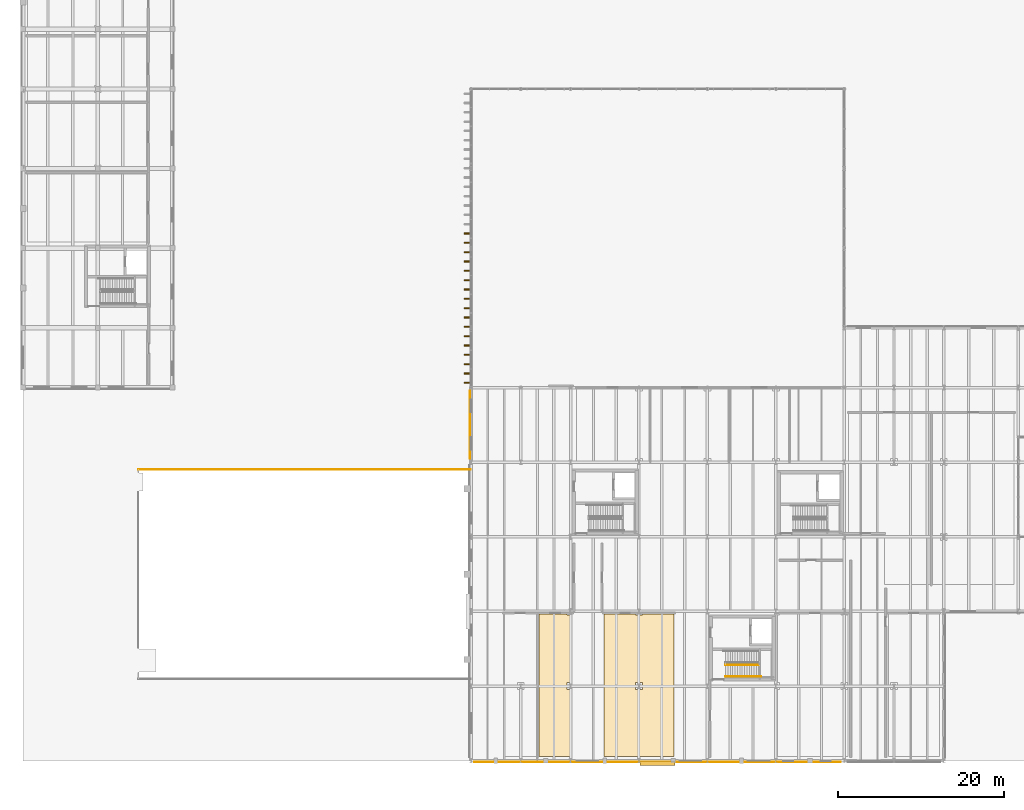
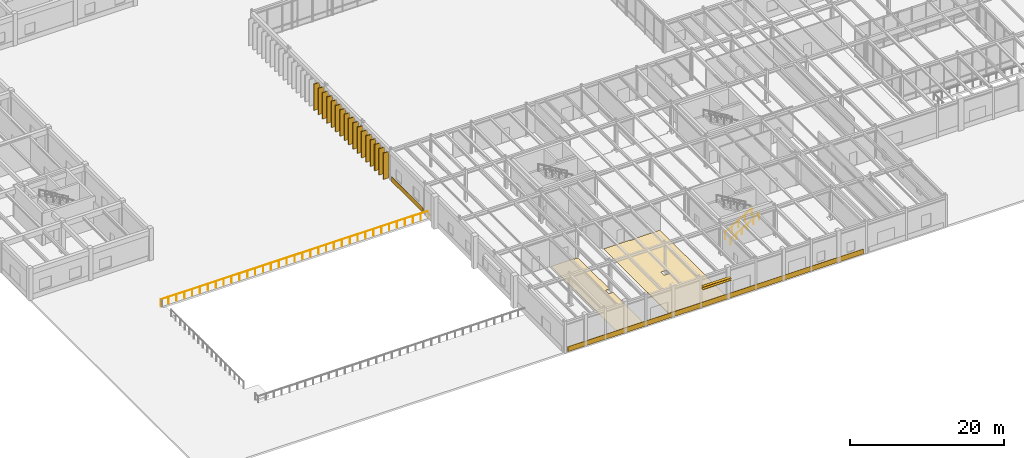
# One storey, part 51 of 64: 21 coverings, 3 railings, 2 shading devices.
"""IFC4 building model written with IfcOpenShell, lengths in metres."""

from ifc_helpers import new_model, si_unit, direction, frame, origin, origin_2d, place, context, subcontext, project, spatial, polyline, rectangle, circle, outline, extrude, material, layer, layer_set, type_object, element, save


model = new_model("IFC4")

# Units and contexts
model_context = context("Model", 3, precision=1e-05, world=origin(), true_north=direction((0.0, 1.0)))
body_context = subcontext(model_context, "Body", "Model", "MODEL_VIEW")
ifc_project = project(units=[si_unit("LENGTHUNIT", "METRE"), si_unit("AREAUNIT", "SQUARE_METRE"), si_unit("VOLUMEUNIT", "CUBIC_METRE"), si_unit("PLANEANGLEUNIT", "RADIAN"), si_unit("MASSUNIT", "GRAM", prefix="KILO")], contexts=[model_context])

# Site, building, storey
site_placement = place(None, origin())
site = spatial("IfcSite", under=ifc_project, at=site_placement, CompositionType="ELEMENT")
building_placement = place(site_placement, origin())
building = spatial("IfcBuilding", under=site, at=building_placement, Name="Montealbar Specialist Clinic", CompositionType="ELEMENT")
storey_placement = place(building_placement, origin())
storey = spatial("IfcBuildingStorey", under=building, at=storey_placement, Name="L00", CompositionType="ELEMENT", Elevation=0.0)

# Coverings
ifc_material_1 = material(Name="Terracotta architectural cladding", Category="masonry")
ifc_layer_1 = layer(ifc_material_1, 0.044921875, Name="Terracotta architectural cladding", Category="masonry")
ifc_layer_set_1 = layer_set([ifc_layer_1], Name="Terracotta architectural cladding")
covering_type_1 = type_object("IfcCoveringType", Name="COV-CLAD-TERRA", PredefinedType="CLADDING", material=ifc_layer_set_1)
covering_1_placement = place(storey_placement, frame((76.5, -0.139892578125, 0.02978515625), z_axis=(0.0, 0.0, 1.0), x_axis=(-1.0, 0.0, 0.0)))
element("IfcCovering", 1, at=covering_1_placement, inside=storey, type_object=covering_type_1, Name="Facade Plinth Cladding Band L00-001", PredefinedType="CLADDING", context=body_context, shape_type="SweptSolid", body=[
    extrude(rectangle(XDim=44.199951171875, YDim=0.044921875, at=origin_2d()), origin(), (0.0, 0.0, 1.0), 0.780029296875),
])
covering_2_placement = place(storey_placement, frame((53.85888671875, 40.5, 0.02978515625), z_axis=(0.0, 0.0, 1.0), x_axis=(0.0, 1.0, 0.0)))
element("IfcCovering", 2, at=covering_2_placement, inside=storey, type_object=covering_type_1, Name="Facade Plinth Cladding Band L00-003", PredefinedType="CLADDING", context=body_context, shape_type="SweptSolid", body=[
    extrude(rectangle(XDim=8.199951171875, YDim=0.044921875, at=origin_2d()), origin(), (0.0, 0.0, 1.0), 0.780029296875),
])
ifc_material_2 = material(Name="Thermally modified timber cladding", Category="wood")
ifc_layer_2 = layer(ifc_material_2, 0.139892578125, Name="Thermally modified timber cladding", Category="wood")
ifc_layer_set_2 = layer_set([ifc_layer_2], Name="Thermally modified timber cladding")
covering_type_2 = type_object("IfcCoveringType", Name="COV-FIN-TIMBER-850", PredefinedType="CLADDING", material=ifc_layer_set_2)
for number, where, z_axis, x_axis, name in (
    (3, (53.60009765625, 45.56201171875, 0.0), (0.0, 0.0, 1.0), (-1.0, 0.0, 0.0), "Vertical Timber Solar Fin CF-L00-0001"),
    (4, (53.60009765625, 46.68798828125, 0.0), (0.0, 0.0, 1.0), (-1.0, 0.0, 0.0), "Vertical Timber Solar Fin CF-L00-0002"),
    (5, (53.60009765625, 47.81201171875, 0.0), (0.0, 0.0, 1.0), (-1.0, 0.0, 0.0), "Vertical Timber Solar Fin CF-L00-0003"),
    (6, (53.60009765625, 48.93798828125, 0.0), (0.0, 0.0, 1.0), (-1.0, 0.0, 0.0), "Vertical Timber Solar Fin CF-L00-0004"),
    (7, (53.60009765625, 50.06201171875, 0.0), (0.0, 0.0, 1.0), (-1.0, 0.0, 0.0), "Vertical Timber Solar Fin CF-L00-0005"),
    (8, (53.60009765625, 51.18798828125, 0.0), (0.0, 0.0, 1.0), (-1.0, 0.0, 0.0), "Vertical Timber Solar Fin CF-L00-0006"),
    (9, (53.60009765625, 52.31201171875, 0.0), (0.0, 0.0, 1.0), (-1.0, 0.0, 0.0), "Vertical Timber Solar Fin CF-L00-0007"),
    (10, (53.60009765625, 53.43798828125, 0.0), (0.0, 0.0, 1.0), (-1.0, 0.0, 0.0), "Vertical Timber Solar Fin CF-L00-0008"),
    (11, (53.60009765625, 54.56201171875, 0.0), (0.0, 0.0, 1.0), (-1.0, 0.0, 0.0), "Vertical Timber Solar Fin CF-L00-0009"),
    (12, (53.60009765625, 55.68798828125, 0.0), (0.0, 0.0, 1.0), (-1.0, 0.0, 0.0), "Vertical Timber Solar Fin CF-L00-0010"),
    (13, (53.60009765625, 56.81201171875, 0.0), (0.0, 0.0, 1.0), (-1.0, 0.0, 0.0), "Vertical Timber Solar Fin CF-L00-0011"),
    (14, (53.60009765625, 57.93798828125, 0.0), (0.0, 0.0, 1.0), (-1.0, 0.0, 0.0), "Vertical Timber Solar Fin CF-L00-0012"),
    (15, (53.60009765625, 59.06201171875, 0.0), (0.0, 0.0, 1.0), (-1.0, 0.0, 0.0), "Vertical Timber Solar Fin CF-L00-0013"),
    (16, (53.60009765625, 60.18798828125, 0.0), (0.0, 0.0, 1.0), (-1.0, 0.0, 0.0), "Vertical Timber Solar Fin CF-L00-0014"),
    (17, (53.60009765625, 61.31201171875, 0.0), (0.0, 0.0, 1.0), (-1.0, 0.0, 0.0), "Vertical Timber Solar Fin CF-L00-0015"),
    (18, (53.60009765625, 62.43798828125, 0.0), (0.0, 0.0, 1.0), (-1.0, 0.0, 0.0), "Vertical Timber Solar Fin CF-L00-0016"),
    (19, (53.60009765625, 63.56201171875, 0.0), (0.0, 0.0, 1.0), (-1.0, 0.0, 0.0), "Vertical Timber Solar Fin CF-L00-0017"),
):
    element("IfcCovering", number, at=place(storey_placement, frame(where, z_axis=z_axis, x_axis=x_axis)), inside=storey, type_object=covering_type_2, Name=name, PredefinedType="CLADDING", context=body_context, shape_type="SweptSolid", body=[
        extrude(rectangle(XDim=0.85009765625, YDim=0.139892578125, at=origin_2d()), origin(), (0.0, 0.0, 1.0), 4.159912109375),
    ])
ifc_material_3 = material(Name="Antimicrobial clinical linoleum", Category="wood")
ifc_layer_3 = layer(ifc_material_3, 0.02001953125, Name="Antimicrobial clinical linoleum", Category="wood")
ifc_layer_set_3 = layer_set([ifc_layer_3], Name="Antimicrobial clinical linoleum")
covering_type_3 = type_object("IfcCoveringType", Name="COV-FLR-LINOLEUM", PredefinedType="FLOORING", material=ifc_layer_set_3)
covering_3_placement = place(storey_placement, origin())
element("IfcCovering", 20, at=covering_3_placement, inside=storey, type_object=covering_type_3, Name="Clinical Flooring Orthopaedic Cast & Minor Treatment Room", PredefinedType="FLOORING", context=body_context, shape_type="SweptSolid", body=[
    extrude(outline(polyline([(62.179931640625, 17.669921875), (65.580078125, 17.669921875), (65.580078125, 17.580078125), (66.169921875, 17.580078125), (66.169921875, 9.419921875), (65.580078125, 9.419921875), (65.580078125, 8.580078125), (66.169921875, 8.580078125), (66.169921875, 0.530029296875), (62.179931640625, 0.530029296875), (62.179931640625, 17.669921875)])), origin(), (0.0, 0.0, 1.0), 0.02001953125),
])
covering_4_placement = place(storey_placement, origin())
element("IfcCovering", 21, at=covering_4_placement, inside=storey, type_object=covering_type_3, Name="Clinical Flooring Endocrinology Outpatient Consulting Room", PredefinedType="FLOORING", context=body_context, shape_type="SweptSolid", body=[
    extrude(outline(polyline([(70.030029296875, 17.669921875), (73.830078125, 17.669921875), (73.830078125, 17.580078125), (74.669921875, 17.580078125), (74.669921875, 17.669921875), (78.469970703125, 17.669921875), (78.469970703125, 0.530029296875), (70.030029296875, 0.530029296875), (70.030029296875, 17.669921875)]), holes=[polyline([(73.830078125, 9.419921875), (73.830078125, 8.580078125), (74.669921875, 8.580078125), (74.669921875, 9.419921875), (73.830078125, 9.419921875)])]), origin(), (0.0, 0.0, 1.0), 0.02001953125),
])

# Railings
ifc_material_4 = material(Name="Steel S355", Category="steel")
ifc_layer_4 = layer(ifc_material_4, 0.06005859375, Name="Steel S355", Category="steel")
ifc_layer_set_4 = layer_set([ifc_layer_4], Name="Steel S355")
railing_type_1 = type_object("IfcRailingType", Name="RAIL-EXT-BAL-1100", PredefinedType="BALUSTRADE", material=ifc_layer_set_4)
railing_1_placement = place(storey_placement, frame((13.8798828125, 35.1201171875, 0.0)))
element("IfcRailing", 22, at=railing_1_placement, inside=storey, type_object=railing_type_1, Name="Sunken Metro Forecourt Balustrade N", PredefinedType="BALUSTRADE", context=body_context, shape_type="SweptSolid", body=[
    extrude(circle(Radius=0.02392578125, at=origin_2d()), frame((0.0, 0.0, 1.09619140625), z_axis=(1.0, 0.0, 0.0), x_axis=(0.0, 1.0, 0.0)), (0.0, 0.0, 1.0), 40.070068359375),
    extrude(circle(Radius=0.02099609375, at=origin_2d()), frame((0.0, 0.0, -0.02490234375)), (0.0, 0.0, 1.0), 1.096923828125),
    extrude(circle(Radius=0.02099609375, at=origin_2d()), frame((1.178466796875, 0.0, -0.02490234375)), (0.0, 0.0, 1.0), 1.096923828125),
    extrude(circle(Radius=0.02099609375, at=origin_2d()), frame((2.357177734375, 0.0, -0.02490234375)), (0.0, 0.0, 1.0), 1.096923828125),
    extrude(circle(Radius=0.02099609375, at=origin_2d()), frame((3.53564453125, 0.0, -0.02490234375)), (0.0, 0.0, 1.0), 1.096923828125),
    extrude(circle(Radius=0.02099609375, at=origin_2d()), frame((4.714111328125, 0.0, -0.02490234375)), (0.0, 0.0, 1.0), 1.096923828125),
    extrude(circle(Radius=0.02099609375, at=origin_2d()), frame((5.892578125, 0.0, -0.02490234375)), (0.0, 0.0, 1.0), 1.096923828125),
    extrude(circle(Radius=0.02099609375, at=origin_2d()), frame((7.0712890625, 0.0, -0.02490234375)), (0.0, 0.0, 1.0), 1.096923828125),
    extrude(circle(Radius=0.02099609375, at=origin_2d()), frame((8.249755859375, 0.0, -0.02490234375)), (0.0, 0.0, 1.0), 1.096923828125),
    extrude(circle(Radius=0.02099609375, at=origin_2d()), frame((9.42822265625, 0.0, -0.02490234375)), (0.0, 0.0, 1.0), 1.096923828125),
    extrude(circle(Radius=0.02099609375, at=origin_2d()), frame((10.606689453125, 0.0, -0.02490234375)), (0.0, 0.0, 1.0), 1.096923828125),
    extrude(circle(Radius=0.02099609375, at=origin_2d()), frame((11.785400390625, 0.0, -0.02490234375)), (0.0, 0.0, 1.0), 1.096923828125),
    extrude(circle(Radius=0.02099609375, at=origin_2d()), frame((12.9638671875, 0.0, -0.02490234375)), (0.0, 0.0, 1.0), 1.096923828125),
    extrude(circle(Radius=0.02099609375, at=origin_2d()), frame((14.142333984375, 0.0, -0.02490234375)), (0.0, 0.0, 1.0), 1.096923828125),
    extrude(circle(Radius=0.02099609375, at=origin_2d()), frame((15.32080078125, 0.0, -0.02490234375)), (0.0, 0.0, 1.0), 1.096923828125),
    extrude(circle(Radius=0.02099609375, at=origin_2d()), frame((16.49951171875, 0.0, -0.02490234375)), (0.0, 0.0, 1.0), 1.096923828125),
    extrude(circle(Radius=0.02099609375, at=origin_2d()), frame((17.677978515625, 0.0, -0.02490234375)), (0.0, 0.0, 1.0), 1.096923828125),
    extrude(circle(Radius=0.02099609375, at=origin_2d()), frame((18.8564453125, 0.0, -0.02490234375)), (0.0, 0.0, 1.0), 1.096923828125),
    extrude(circle(Radius=0.02099609375, at=origin_2d()), frame((20.03515625, 0.0, -0.02490234375)), (0.0, 0.0, 1.0), 1.096923828125),
    extrude(circle(Radius=0.02099609375, at=origin_2d()), frame((21.213623046875, 0.0, -0.02490234375)), (0.0, 0.0, 1.0), 1.096923828125),
    extrude(circle(Radius=0.02099609375, at=origin_2d()), frame((22.39208984375, 0.0, -0.02490234375)), (0.0, 0.0, 1.0), 1.096923828125),
    extrude(circle(Radius=0.02099609375, at=origin_2d()), frame((23.570556640625, 0.0, -0.02490234375)), (0.0, 0.0, 1.0), 1.096923828125),
    extrude(circle(Radius=0.02099609375, at=origin_2d()), frame((24.749267578125, 0.0, -0.02490234375)), (0.0, 0.0, 1.0), 1.096923828125),
    extrude(circle(Radius=0.02099609375, at=origin_2d()), frame((25.927734375, 0.0, -0.02490234375)), (0.0, 0.0, 1.0), 1.096923828125),
    extrude(circle(Radius=0.02099609375, at=origin_2d()), frame((27.106201171875, 0.0, -0.02490234375)), (0.0, 0.0, 1.0), 1.096923828125),
    extrude(circle(Radius=0.02099609375, at=origin_2d()), frame((28.28466796875, 0.0, -0.02490234375)), (0.0, 0.0, 1.0), 1.096923828125),
    extrude(circle(Radius=0.02099609375, at=origin_2d()), frame((29.46337890625, 0.0, -0.02490234375)), (0.0, 0.0, 1.0), 1.096923828125),
    extrude(circle(Radius=0.02099609375, at=origin_2d()), frame((30.641845703125, 0.0, -0.02490234375)), (0.0, 0.0, 1.0), 1.096923828125),
    extrude(circle(Radius=0.02099609375, at=origin_2d()), frame((31.8203125, 0.0, -0.02490234375)), (0.0, 0.0, 1.0), 1.096923828125),
    extrude(circle(Radius=0.02099609375, at=origin_2d()), frame((32.998779296875, 0.0, -0.02490234375)), (0.0, 0.0, 1.0), 1.096923828125),
    extrude(circle(Radius=0.02099609375, at=origin_2d()), frame((34.177490234375, 0.0, -0.02490234375)), (0.0, 0.0, 1.0), 1.096923828125),
    extrude(circle(Radius=0.02099609375, at=origin_2d()), frame((35.35595703125, 0.0, -0.02490234375)), (0.0, 0.0, 1.0), 1.096923828125),
    extrude(circle(Radius=0.02099609375, at=origin_2d()), frame((36.534423828125, 0.0, -0.02490234375)), (0.0, 0.0, 1.0), 1.096923828125),
    extrude(circle(Radius=0.02099609375, at=origin_2d()), frame((37.712890625, 0.0, -0.02490234375)), (0.0, 0.0, 1.0), 1.096923828125),
    extrude(circle(Radius=0.02099609375, at=origin_2d()), frame((38.8916015625, 0.0, -0.02490234375)), (0.0, 0.0, 1.0), 1.096923828125),
    extrude(circle(Radius=0.02099609375, at=origin_2d()), frame((40.070068359375, 0.0, -0.02490234375)), (0.0, 0.0, 1.0), 1.096923828125),
])
ifc_layer_5 = layer(ifc_material_4, 0.050048828125, Name="Steel S355", Category="steel")
ifc_layer_set_5 = layer_set([ifc_layer_5], Name="Steel S355")
railing_type_2 = type_object("IfcRailingType", Name="RAIL-STAIR-BAL-1100", PredefinedType="BALUSTRADE", material=ifc_layer_set_5)
railing_2_placement = place(storey_placement, frame((84.699951171875, 11.550048828125, 0.169921875)))
element("IfcRailing", 23, at=railing_2_placement, inside=storey, type_object=railing_type_2, Name="L00 ST-04 stair guard 1", PredefinedType="BALUSTRADE", context=body_context, shape_type="SweptSolid", body=[
    extrude(circle(Radius=0.02392578125, at=origin_2d()), frame((0.0, 0.0, 1.076171875), z_axis=(0.858806931142, 0.0, 0.512299380267), x_axis=(0.0, 1.0, 0.0)), (0.0, 0.0, 1.0), 4.64599609375),
    extrude(circle(Radius=0.02099609375, at=origin_2d()), frame((0.0, 0.0, -0.02490234375)), (0.0, 0.0, 1.0), 1.076904296875),
    extrude(circle(Radius=0.02099609375, at=origin_2d()), frame((0.99755859375, 0.0, 0.570068359375)), (0.0, 0.0, 1.0), 1.076904296875),
    extrude(circle(Radius=0.02099609375, at=origin_2d()), frame((1.9951171875, 0.0, 1.1650390625)), (0.0, 0.0, 1.0), 1.076904296875),
    extrude(circle(Radius=0.02099609375, at=origin_2d()), frame((2.992431640625, 0.0, 1.760009765625)), (0.0, 0.0, 1.0), 1.076904296875),
    extrude(circle(Radius=0.02099609375, at=origin_2d()), frame((3.989990234375, 0.0, 2.355224609375)), (0.0, 0.0, 1.0), 1.076904296875),
])
ifc_layer_6 = layer(ifc_material_4, 0.044921875, Name="Steel S355", Category="steel")
ifc_layer_set_6 = layer_set([ifc_layer_6], Name="Steel S355")
railing_type_3 = type_object("IfcRailingType", Name="RAIL-STAIR-HR-900", PredefinedType="HANDRAIL", material=ifc_layer_set_6)
railing_3_placement = place(storey_placement, frame((84.699951171875, 10.14990234375, 0.169921875)))
element("IfcRailing", 24, at=railing_3_placement, inside=storey, type_object=railing_type_3, Name="L00 ST-04 stair handrail 1", PredefinedType="HANDRAIL", context=body_context, shape_type="SweptSolid", body=[
    extrude(circle(Radius=0.02392578125, at=origin_2d()), frame((0.0, 0.0, 0.8759765625), z_axis=(0.858822911917, 0.0, 0.512272589513), x_axis=(0.0, 1.0, 0.0)), (0.0, 0.0, 1.0), 4.97802734375),
    extrude(circle(Radius=0.02099609375, at=origin_2d()), frame((0.0, 0.0, -0.02490234375)), (0.0, 0.0, 1.0), 0.876708984375),
    extrude(circle(Radius=0.02099609375, at=origin_2d()), frame((0.85498046875, 0.0, 0.485107421875)), (0.0, 0.0, 1.0), 0.876708984375),
    extrude(circle(Radius=0.02099609375, at=origin_2d()), frame((1.7099609375, 0.0, 0.9951171875)), (0.0, 0.0, 1.0), 0.876708984375),
    extrude(circle(Radius=0.02099609375, at=origin_2d()), frame((2.565185546875, 0.0, 1.505126953125)), (0.0, 0.0, 1.0), 0.876708984375),
    extrude(circle(Radius=0.02099609375, at=origin_2d()), frame((3.420166015625, 0.0, 2.01513671875)), (0.0, 0.0, 1.0), 0.876708984375),
    extrude(circle(Radius=0.02099609375, at=origin_2d()), frame((4.275146484375, 0.0, 2.355224609375)), (0.0, 0.0, 1.0), 1.046630859375),
])

# Shading devices
ifc_material_5 = material(Name="Powder-coated aluminium", Category="aluminium")
ifc_layer_7 = layer(ifc_material_5, 0.050048828125, Name="Powder-coated aluminium", Category="aluminium")
ifc_layer_set_7 = layer_set([ifc_layer_7], Name="Powder-coated aluminium")
shading_device_type = type_object("IfcShadingDeviceType", Name="SHD-LOUVRE-450", PredefinedType="JALOUSIE", material=ifc_layer_set_7)
for number, where, z_axis, x_axis, name in (
    (25, (76.5, -0.340087890625, 3.0751953125), (0.0, 0.0, 1.0), (-1.0, 0.0, 0.0), "Entrance Canopy Sun Louvre LV-01"),
    (26, (76.5, -0.340087890625, 3.4248046875), (0.0, 0.0, 1.0), (-1.0, 0.0, 0.0), "Entrance Canopy Sun Louvre LV-02"),
):
    element("IfcShadingDevice", number, at=place(storey_placement, frame(where, z_axis=z_axis, x_axis=x_axis)), inside=storey, type_object=shading_device_type, Name=name, PredefinedType="JALOUSIE", context=body_context, shape_type="SweptSolid", body=[
        extrude(rectangle(XDim=4.199951171875, YDim=0.449951171875, at=origin_2d()), origin(), (0.0, 0.0, 1.0), 0.050048828125),
    ])

save(model, "model.ifc")
